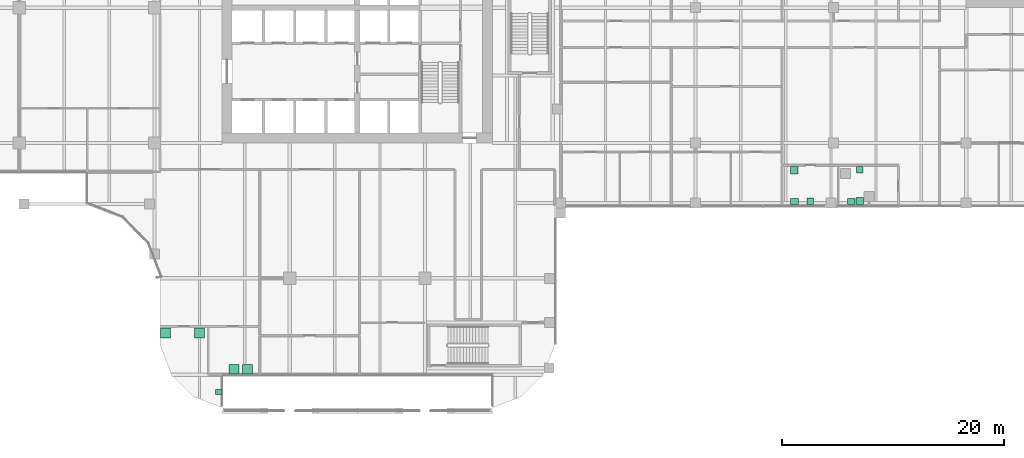
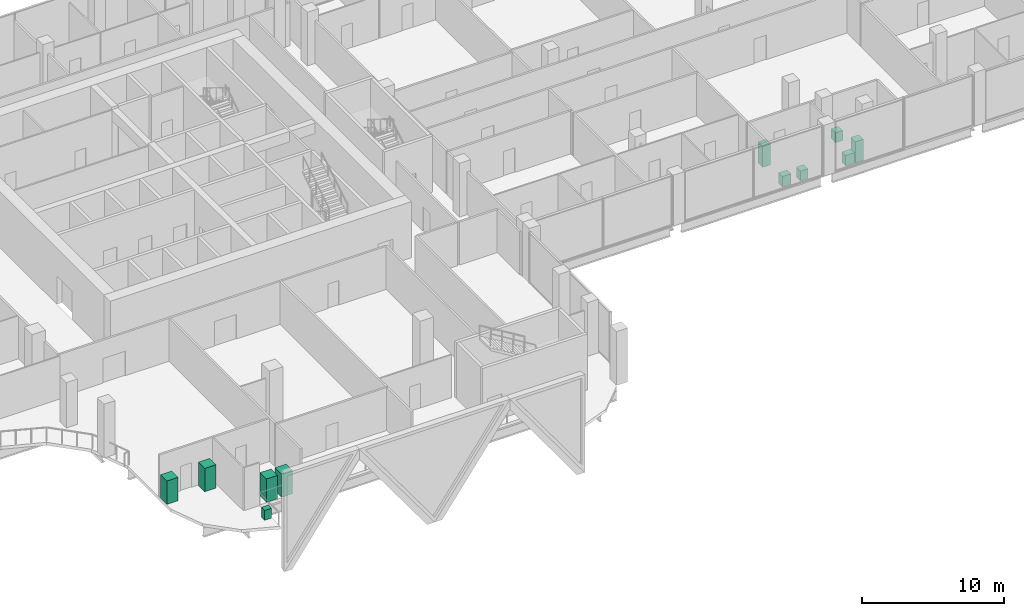
# One storey, part 33 of 33: 7 sanitary terminals, 4 electric appliances.
"""IFC4 building model written with IfcOpenShell, lengths in metres."""

from ifc_helpers import new_model, si_unit, direction, frame, origin, origin_2d, place, context, subcontext, project, spatial, rectangle, extrude, material, type_object, element, save


model = new_model("IFC4")

# Units and contexts
model_context = context("Model", 3, precision=1e-05, world=origin(), true_north=direction((0.0, 1.0)))
body_context = subcontext(model_context, "Body", "Model", "MODEL_VIEW")
ifc_project = project(units=[si_unit("LENGTHUNIT", "METRE"), si_unit("AREAUNIT", "SQUARE_METRE"), si_unit("VOLUMEUNIT", "CUBIC_METRE"), si_unit("PLANEANGLEUNIT", "RADIAN"), si_unit("MASSUNIT", "GRAM", prefix="KILO")], contexts=[model_context])

# Site, building, storey
site_placement = place(None, origin())
site = spatial("IfcSite", under=ifc_project, at=site_placement, CompositionType="ELEMENT")
building_placement = place(site_placement, origin())
building = spatial("IfcBuilding", under=site, at=building_placement, Name="Tessera Gate Towers", CompositionType="ELEMENT")
storey_placement = place(building_placement, frame((0.0, 0.0, 12.0)))
storey = spatial("IfcBuildingStorey", under=building, at=storey_placement, Name="L02", CompositionType="ELEMENT", Elevation=12.0)

# Sanitary terminal
ifc_material_1 = material(Name="Vitreous china")
sanitary_terminal_type_1 = type_object("IfcSanitaryTerminalType", Name="BASIN 550x450", PredefinedType="WASHHANDBASIN", material=ifc_material_1)
sanitary_terminal_placement = place(storey_placement, frame((30.175048828125, 1.926025390625, 0.0), z_axis=(0.0, 0.0, 1.0), x_axis=(1.0, 0.0, 0.0)))
element("IfcSanitaryTerminal", 1, at=sanitary_terminal_placement, inside=storey, type_object=sanitary_terminal_type_1, Name="Basin", PredefinedType="WASHHANDBASIN", context=body_context, shape_type="SweptSolid", body=[
    extrude(rectangle(XDim=0.550048828125, YDim=0.449951171875, at=origin_2d()), origin(), (0.0, 0.0, 1.0), 0.85009765625),
])

# Electric appliances
ifc_material_2 = material(Name="Enamelled steel", Category="steel")
electric_appliance_type_1 = type_object("IfcElectricApplianceType", Name="DISHWASHER 600x600", PredefinedType="DISHWASHER", material=ifc_material_2)
for number, where, z_axis, x_axis, name in (
    (2, (83.535888671875, 19.14990234375, 0.0), (0.0, 0.0, 1.0), (1.0, 0.0, 0.0), "Dishwasher"),
    (3, (87.998046875, 21.97509765625, 0.0), (0.0, 0.0, 1.0), (1.0, 0.0, 0.0), "Dishwasher"),
):
    element("IfcElectricAppliance", number, at=place(storey_placement, frame(where, z_axis=z_axis, x_axis=x_axis)), inside=storey, type_object=electric_appliance_type_1, Name=name, PredefinedType="DISHWASHER", context=body_context, shape_type="SweptSolid", body=[
        extrude(rectangle(XDim=0.60009765625, YDim=0.60009765625, at=origin_2d()), origin(), (0.0, 0.0, 1.0), 0.85009765625),
    ])
ifc_material_3 = material(Name="Enamelled steel", Category="steel")
electric_appliance_type_2 = type_object("IfcElectricApplianceType", Name="REFRIGERATOR 650x650", PredefinedType="FRIDGE_FREEZER", material=ifc_material_3)
for number, where, z_axis, x_axis, name in (
    (4, (82.094970703125, 21.949951171875, 0.0), (0.0, 0.0, 1.0), (1.0, 0.0, 0.0), "Refrigerator"),
    (5, (88.007080078125, 19.175048828125, 0.0), (0.0, 0.0, 1.0), (1.0, 0.0, 0.0), "Refrigerator"),
):
    element("IfcElectricAppliance", number, at=place(storey_placement, frame(where, z_axis=z_axis, x_axis=x_axis)), inside=storey, type_object=electric_appliance_type_2, Name=name, PredefinedType="FRIDGE_FREEZER", context=body_context, shape_type="SweptSolid", body=[
        extrude(rectangle(XDim=0.64990234375, YDim=0.64990234375, at=origin_2d()), origin(), (0.0, 0.0, 1.0), 1.800048828125),
    ])

# Sanitary terminals
ifc_material_4 = material(Name="Vitreous china")
sanitary_terminal_type_2 = type_object("IfcSanitaryTerminalType", Name="SHOWER 900x900", PredefinedType="SHOWER", material=ifc_material_4)
for number, where, z_axis, x_axis, name in (
    (6, (25.39990234375, 7.27490234375, 0.0), (0.0, 0.0, 1.0), (1.0, 0.0, 0.0), "Shower"),
    (7, (28.467041015625, 7.27490234375, 0.0), (0.0, 0.0, 1.0), (1.0, 0.0, 0.0), "Shower"),
    (8, (31.573974609375, 4.0, 0.0), (0.0, 0.0, 1.0), (1.0, 0.0, 0.0), "Shower"),
    (9, (32.791015625, 4.0, 0.0), (0.0, 0.0, 1.0), (1.0, 0.0, 0.0), "Shower"),
):
    element("IfcSanitaryTerminal", number, at=place(storey_placement, frame(where, z_axis=z_axis, x_axis=x_axis)), inside=storey, type_object=sanitary_terminal_type_2, Name=name, PredefinedType="SHOWER", context=body_context, shape_type="SweptSolid", body=[
        extrude(rectangle(XDim=0.89990234375, YDim=0.89990234375, at=origin_2d()), origin(), (0.0, 0.0, 1.0), 2.0),
    ])
ifc_material_5 = material(Name="Vitreous china")
sanitary_terminal_type_3 = type_object("IfcSanitaryTerminalType", Name="SINK 700x550", PredefinedType="SINK", material=ifc_material_5)
for number, where, z_axis, x_axis, name in (
    (10, (82.112060546875, 19.125, 0.0), (0.0, 0.0, 1.0), (1.0, 0.0, 0.0), "Sink"),
    (11, (87.243896484375, 19.125, 0.0), (0.0, 0.0, 1.0), (1.0, 0.0, 0.0), "Sink"),
):
    element("IfcSanitaryTerminal", number, at=place(storey_placement, frame(where, z_axis=z_axis, x_axis=x_axis)), inside=storey, type_object=sanitary_terminal_type_3, Name=name, PredefinedType="SINK", context=body_context, shape_type="SweptSolid", body=[
        extrude(rectangle(XDim=0.699951171875, YDim=0.550048828125, at=origin_2d()), origin(), (0.0, 0.0, 1.0), 0.89990234375),
    ])

save(model, "model.ifc")
